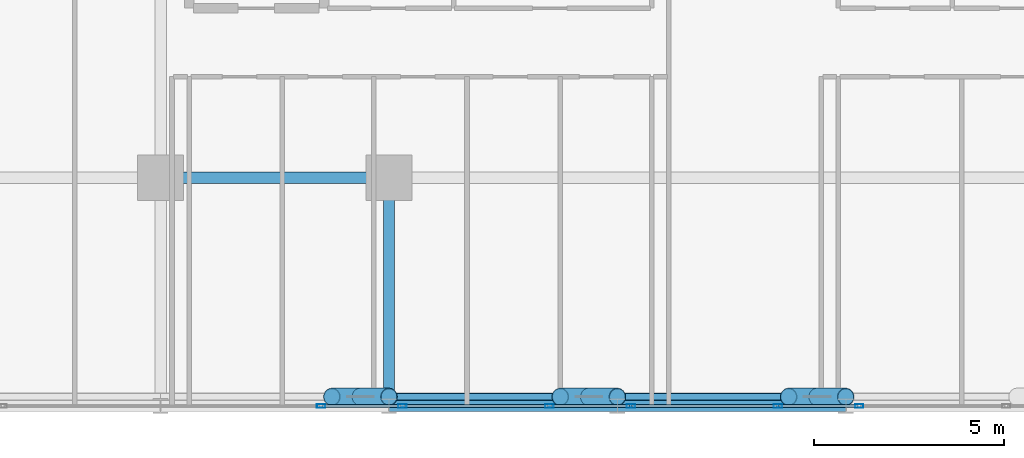
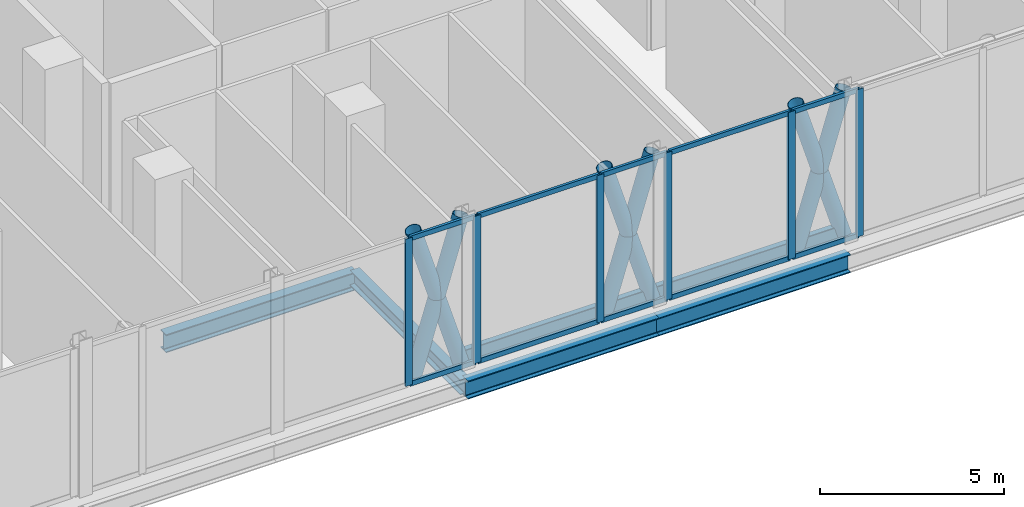
# One storey, part 8 of 36: 27 members, 4 beams, 6 elements without a shape of their own.
"""IFC4 building model written with IfcOpenShell, lengths in metres."""

from ifc_helpers import new_model, si_unit, direction, frame, origin, origin_2d, place, context, subcontext, project, spatial, hollow_rectangle, hollow_circle, i_section, extrude, material, layer, layer_set, material_profile, profile_set, type_object, element, aggregate, save


model = new_model("IFC4")

# Units and contexts
model_context = context("Model", 3, precision=1e-05, world=origin(), true_north=direction((0.0, 1.0)))
body_context = subcontext(model_context, "Body", "Model", "MODEL_VIEW")
ifc_project = project(units=[si_unit("LENGTHUNIT", "METRE"), si_unit("AREAUNIT", "SQUARE_METRE"), si_unit("VOLUMEUNIT", "CUBIC_METRE"), si_unit("PLANEANGLEUNIT", "RADIAN"), si_unit("MASSUNIT", "GRAM", prefix="KILO")], contexts=[model_context])

# Site, building, storey
site_placement = place(None, origin())
site = spatial("IfcSite", under=ifc_project, at=site_placement, CompositionType="ELEMENT")
building_placement = place(site_placement, origin())
building = spatial("IfcBuilding", under=site, at=building_placement, Name="Keshet Zoharim Tower", CompositionType="ELEMENT")
storey_placement = place(building_placement, frame((0.0, 0.0, 81.199951171875)))
storey = spatial("IfcBuildingStorey", under=building, at=storey_placement, Name="L19", CompositionType="ELEMENT", Elevation=81.199951171875)

# Beams
ifc_material_1 = material(Name="Steel S355", Category="steel")
ifc_material_profile_1 = material_profile(ifc_material_1, i_section(OverallWidth=0.300048828125, OverallDepth=0.5, WebThickness=0.014404296875, FlangeThickness=0.028076171875, FilletRadius=0.027099609375, at=origin_2d()), Name="HEB500")
ifc_profile_set_1 = profile_set([ifc_material_profile_1], Name="Steel S355")
beam_type_1 = type_object("IfcBeamType", Name="BM-WEB-HB500", PredefinedType="BEAM", material=ifc_profile_set_1)
beam_placement = place(storey_placement, frame((39.0, 0.699951171875, -0.669921875), z_axis=(0.0, 1.0, 0.0), x_axis=(-1.0, 0.0, 0.0)))
element("IfcBeam", 1, at=beam_placement, inside=storey, type_object=beam_type_1, Name="L19 Primary Girder Y-012", PredefinedType="BEAM", context=body_context, shape_type="SweptSolid", body=[
    extrude(i_section(OverallWidth=0.300048828125, OverallDepth=0.5, WebThickness=0.014404296875, FlangeThickness=0.028076171875, FilletRadius=0.027099609375, at=origin_2d()), origin(), (0.0, 0.0, 1.0), 6.0),
])
ifc_material_profile_2 = material_profile(ifc_material_1, i_section(OverallWidth=0.300048828125, OverallDepth=0.60009765625, WebThickness=0.015380859375, FlangeThickness=0.030029296875, FilletRadius=0.027099609375, at=origin_2d()), Name="HEB600")
ifc_profile_set_2 = profile_set([ifc_material_profile_2], Name="Steel S355")
beam_type_2 = type_object("IfcBeamType", Name="BM-WEB-HB600", PredefinedType="BEAM", material=ifc_profile_set_2)
for number, where, z_axis, x_axis, name in (
    (2, (39.0, 0.699951171875, -0.719970703125), (1.0, 0.0, 0.0), (0.0, 1.0, 0.0), "L19 Primary Girder X-003"),
    (3, (45.0, 0.699951171875, -0.719970703125), (1.0, 0.0, 0.0), (0.0, 1.0, 0.0), "L19 Primary Girder X-004"),
    (4, (33.0, 6.699951171875, -0.719970703125), (1.0, 0.0, 0.0), (0.0, 1.0, 0.0), "L19 Primary Girder X-008"),
):
    element("IfcBeam", number, at=place(storey_placement, frame(where, z_axis=z_axis, x_axis=x_axis)), inside=storey, type_object=beam_type_2, Name=name, PredefinedType="BEAM", context=body_context, shape_type="SweptSolid", body=[
        extrude(i_section(OverallWidth=0.300048828125, OverallDepth=0.60009765625, WebThickness=0.015380859375, FlangeThickness=0.030029296875, FilletRadius=0.027099609375, at=origin_2d()), origin(), (0.0, 0.0, 1.0), 6.0),
    ])

# Curtain wall, member
ifc_material_2 = material(Name="Aluminium 6063-T6", Category="aluminium")
ifc_layer = layer(ifc_material_2, 0.179931640625)
ifc_layer_set = layer_set([ifc_layer], Name="Aluminium 6063-T6")
curtain_wall_type = type_object("IfcCurtainWallType", Name="CW-SYS-01", PredefinedType="NOTDEFINED", material=ifc_layer_set)
curtain_wall_1_placement = place(storey_placement, origin())
curtain_wall_1 = element("IfcCurtainWall", 5, at=curtain_wall_1_placement, inside=storey, type_object=curtain_wall_type, Name="L19 Unitised Curtain Wall 26 Part 2", PredefinedType="NOTDEFINED")
ifc_material_profile_3 = material_profile(ifc_material_2, hollow_rectangle(XDim=0.090087890625, YDim=0.219970703125, WallThickness=0.0048828125, at=origin_2d()), Name="MUL-90x220")
ifc_profile_set_3 = profile_set([ifc_material_profile_3], Name="Aluminium 6063-T6")
member_type_1 = type_object("IfcMemberType", Name="CWM-M22", PredefinedType="MULLION", material=ifc_profile_set_3)
member_1_placement = place(storey_placement, frame((51.353515625, 0.699951171875, 0.0), z_axis=(0.0, 0.0, 1.0), x_axis=(0.0, -1.0, 0.0)))
member_1 = element("IfcMember", 6, at=member_1_placement, type_object=member_type_1, Name="CW-01 mullion 2", PredefinedType="MULLION", context=body_context, shape_type="SweptSolid", body=[
    extrude(hollow_rectangle(XDim=0.090087890625, YDim=0.219970703125, WallThickness=0.0048828125, at=origin_2d()), origin(), (0.0, 0.0, 1.0), 4.885009765625),
])
aggregate(curtain_wall_1, [member_1])

curtain_wall_2_placement = place(storey_placement, origin())
curtain_wall_2 = element("IfcCurtainWall", 7, at=curtain_wall_2_placement, inside=storey, type_object=curtain_wall_type, Name="L19 Unitised Curtain Wall 26 Part 3", PredefinedType="NOTDEFINED")
member_2_placement = place(storey_placement, frame((49.216552734375, 0.699951171875, 0.0), z_axis=(0.0, 0.0, 1.0), x_axis=(0.0, -1.0, 0.0)))
member_2 = element("IfcMember", 8, at=member_2_placement, type_object=member_type_1, Name="CW-01 mullion 2", PredefinedType="MULLION", context=body_context, shape_type="SweptSolid", body=[
    extrude(hollow_rectangle(XDim=0.090087890625, YDim=0.219970703125, WallThickness=0.0048828125, at=origin_2d()), origin(), (0.0, 0.0, 1.0), 4.885009765625),
])

curtain_wall_3_placement = place(storey_placement, origin())
curtain_wall_3 = element("IfcCurtainWall", 9, at=curtain_wall_3_placement, inside=storey, type_object=curtain_wall_type, Name="L19 Unitised Curtain Wall 26 Part 4", PredefinedType="NOTDEFINED")
member_3_placement = place(storey_placement, frame((45.353515625, 0.699951171875, 0.0), z_axis=(0.0, 0.0, 1.0), x_axis=(0.0, -1.0, 0.0)))
member_3 = element("IfcMember", 10, at=member_3_placement, type_object=member_type_1, Name="CW-01 mullion 2", PredefinedType="MULLION", context=body_context, shape_type="SweptSolid", body=[
    extrude(hollow_rectangle(XDim=0.090087890625, YDim=0.219970703125, WallThickness=0.0048828125, at=origin_2d()), origin(), (0.0, 0.0, 1.0), 4.885009765625),
])

curtain_wall_4_placement = place(storey_placement, origin())
curtain_wall_4 = element("IfcCurtainWall", 11, at=curtain_wall_4_placement, inside=storey, type_object=curtain_wall_type, Name="L19 Unitised Curtain Wall 26 Part 5", PredefinedType="NOTDEFINED")
member_4_placement = place(storey_placement, frame((43.216552734375, 0.699951171875, 0.0), z_axis=(0.0, 0.0, 1.0), x_axis=(0.0, -1.0, 0.0)))
member_4 = element("IfcMember", 12, at=member_4_placement, type_object=member_type_1, Name="CW-01 mullion 2", PredefinedType="MULLION", context=body_context, shape_type="SweptSolid", body=[
    extrude(hollow_rectangle(XDim=0.090087890625, YDim=0.219970703125, WallThickness=0.0048828125, at=origin_2d()), origin(), (0.0, 0.0, 1.0), 4.885009765625),
])

curtain_wall_5_placement = place(storey_placement, origin())
curtain_wall_5 = element("IfcCurtainWall", 13, at=curtain_wall_5_placement, inside=storey, type_object=curtain_wall_type, Name="L19 Unitised Curtain Wall 26 Part 6", PredefinedType="NOTDEFINED")
member_5_placement = place(storey_placement, frame((39.353515625, 0.699951171875, 0.0), z_axis=(0.0, 0.0, 1.0), x_axis=(0.0, -1.0, 0.0)))
member_5 = element("IfcMember", 14, at=member_5_placement, type_object=member_type_1, Name="CW-01 mullion 2", PredefinedType="MULLION", context=body_context, shape_type="SweptSolid", body=[
    extrude(hollow_rectangle(XDim=0.090087890625, YDim=0.219970703125, WallThickness=0.0048828125, at=origin_2d()), origin(), (0.0, 0.0, 1.0), 4.885009765625),
])

curtain_wall_6_placement = place(storey_placement, origin())
curtain_wall_6 = element("IfcCurtainWall", 15, at=curtain_wall_6_placement, inside=storey, type_object=curtain_wall_type, Name="L19 Unitised Curtain Wall 26 Part 7", PredefinedType="NOTDEFINED")
member_6_placement = place(storey_placement, frame((37.216552734375, 0.699951171875, 0.0), z_axis=(0.0, 0.0, 1.0), x_axis=(0.0, -1.0, 0.0)))
member_6 = element("IfcMember", 16, at=member_6_placement, type_object=member_type_1, Name="CW-01 mullion 2", PredefinedType="MULLION", context=body_context, shape_type="SweptSolid", body=[
    extrude(hollow_rectangle(XDim=0.090087890625, YDim=0.219970703125, WallThickness=0.0048828125, at=origin_2d()), origin(), (0.0, 0.0, 1.0), 4.885009765625),
])

# Member
ifc_material_profile_4 = material_profile(ifc_material_2, hollow_rectangle(XDim=0.0849609375, YDim=0.159912109375, WallThickness=0.00439453125, at=origin_2d()), Name="TRN-85x160")
ifc_profile_set_4 = profile_set([ifc_material_profile_4], Name="Aluminium 6063-T6")
member_type_2 = type_object("IfcMemberType", Name="CWT-T16", PredefinedType="USERDEFINED", material=ifc_profile_set_4)
member_7_placement = place(storey_placement, frame((51.318359375, 0.699951171875, 0.03515625), z_axis=(-1.0, 0.0, 0.0), x_axis=(0.0, -1.0, 0.0)))
member_7 = element("IfcMember", 17, at=member_7_placement, type_object=member_type_2, Name="CW-01 transom 1.1", ObjectType="TRANSOM", PredefinedType="USERDEFINED", context=body_context, shape_type="SweptSolid", body=[
    extrude(hollow_rectangle(XDim=0.0849609375, YDim=0.159912109375, WallThickness=0.00439453125, at=origin_2d()), origin(), (0.0, 0.0, 1.0), 2.066650390625),
])

member_8_placement = place(storey_placement, frame((51.318359375, 0.699951171875, 4.85009765625), z_axis=(-1.0, 0.0, 0.0), x_axis=(0.0, -1.0, 0.0)))
member_8 = element("IfcMember", 18, at=member_8_placement, type_object=member_type_2, Name="CW-01 transom 1.2", ObjectType="TRANSOM", PredefinedType="USERDEFINED", context=body_context, shape_type="SweptSolid", body=[
    extrude(hollow_rectangle(XDim=0.0849609375, YDim=0.159912109375, WallThickness=0.00439453125, at=origin_2d()), origin(), (0.0, 0.0, 1.0), 2.066650390625),
])

aggregate(curtain_wall_2, [member_2, member_7, member_8])

member_9_placement = place(storey_placement, frame((49.181640625, 0.699951171875, 0.03515625), z_axis=(-1.0, 0.0, 0.0), x_axis=(0.0, -1.0, 0.0)))
member_9 = element("IfcMember", 19, at=member_9_placement, type_object=member_type_2, Name="CW-01 transom 1.1", ObjectType="TRANSOM", PredefinedType="USERDEFINED", context=body_context, shape_type="SweptSolid", body=[
    extrude(hollow_rectangle(XDim=0.0849609375, YDim=0.159912109375, WallThickness=0.00439453125, at=origin_2d()), origin(), (0.0, 0.0, 1.0), 3.793212890625),
])

member_10_placement = place(storey_placement, frame((49.181640625, 0.699951171875, 4.85009765625), z_axis=(-1.0, 0.0, 0.0), x_axis=(0.0, -1.0, 0.0)))
member_10 = element("IfcMember", 20, at=member_10_placement, type_object=member_type_2, Name="CW-01 transom 1.2", ObjectType="TRANSOM", PredefinedType="USERDEFINED", context=body_context, shape_type="SweptSolid", body=[
    extrude(hollow_rectangle(XDim=0.0849609375, YDim=0.159912109375, WallThickness=0.00439453125, at=origin_2d()), origin(), (0.0, 0.0, 1.0), 3.793212890625),
])

aggregate(curtain_wall_3, [member_3, member_9, member_10])

member_11_placement = place(storey_placement, frame((45.318359375, 0.699951171875, 0.03515625), z_axis=(-1.0, 0.0, 0.0), x_axis=(0.0, -1.0, 0.0)))
member_11 = element("IfcMember", 21, at=member_11_placement, type_object=member_type_2, Name="CW-01 transom 1.1", ObjectType="TRANSOM", PredefinedType="USERDEFINED", context=body_context, shape_type="SweptSolid", body=[
    extrude(hollow_rectangle(XDim=0.0849609375, YDim=0.159912109375, WallThickness=0.00439453125, at=origin_2d()), origin(), (0.0, 0.0, 1.0), 2.066650390625),
])

member_12_placement = place(storey_placement, frame((45.318359375, 0.699951171875, 4.85009765625), z_axis=(-1.0, 0.0, 0.0), x_axis=(0.0, -1.0, 0.0)))
member_12 = element("IfcMember", 22, at=member_12_placement, type_object=member_type_2, Name="CW-01 transom 1.2", ObjectType="TRANSOM", PredefinedType="USERDEFINED", context=body_context, shape_type="SweptSolid", body=[
    extrude(hollow_rectangle(XDim=0.0849609375, YDim=0.159912109375, WallThickness=0.00439453125, at=origin_2d()), origin(), (0.0, 0.0, 1.0), 2.066650390625),
])

aggregate(curtain_wall_4, [member_4, member_11, member_12])

member_13_placement = place(storey_placement, frame((43.181640625, 0.699951171875, 0.03515625), z_axis=(-1.0, 0.0, 0.0), x_axis=(0.0, -1.0, 0.0)))
member_13 = element("IfcMember", 23, at=member_13_placement, type_object=member_type_2, Name="CW-01 transom 1.1", ObjectType="TRANSOM", PredefinedType="USERDEFINED", context=body_context, shape_type="SweptSolid", body=[
    extrude(hollow_rectangle(XDim=0.0849609375, YDim=0.159912109375, WallThickness=0.00439453125, at=origin_2d()), origin(), (0.0, 0.0, 1.0), 3.793212890625),
])

member_14_placement = place(storey_placement, frame((43.181640625, 0.699951171875, 4.85009765625), z_axis=(-1.0, 0.0, 0.0), x_axis=(0.0, -1.0, 0.0)))
member_14 = element("IfcMember", 24, at=member_14_placement, type_object=member_type_2, Name="CW-01 transom 1.2", ObjectType="TRANSOM", PredefinedType="USERDEFINED", context=body_context, shape_type="SweptSolid", body=[
    extrude(hollow_rectangle(XDim=0.0849609375, YDim=0.159912109375, WallThickness=0.00439453125, at=origin_2d()), origin(), (0.0, 0.0, 1.0), 3.793212890625),
])

aggregate(curtain_wall_5, [member_5, member_13, member_14])

member_15_placement = place(storey_placement, frame((39.318359375, 0.699951171875, 0.03515625), z_axis=(-1.0, 0.0, 0.0), x_axis=(0.0, -1.0, 0.0)))
member_15 = element("IfcMember", 25, at=member_15_placement, type_object=member_type_2, Name="CW-01 transom 1.1", ObjectType="TRANSOM", PredefinedType="USERDEFINED", context=body_context, shape_type="SweptSolid", body=[
    extrude(hollow_rectangle(XDim=0.0849609375, YDim=0.159912109375, WallThickness=0.00439453125, at=origin_2d()), origin(), (0.0, 0.0, 1.0), 2.066650390625),
])

member_16_placement = place(storey_placement, frame((39.318359375, 0.699951171875, 4.85009765625), z_axis=(-1.0, 0.0, 0.0), x_axis=(0.0, -1.0, 0.0)))
member_16 = element("IfcMember", 26, at=member_16_placement, type_object=member_type_2, Name="CW-01 transom 1.2", ObjectType="TRANSOM", PredefinedType="USERDEFINED", context=body_context, shape_type="SweptSolid", body=[
    extrude(hollow_rectangle(XDim=0.0849609375, YDim=0.159912109375, WallThickness=0.00439453125, at=origin_2d()), origin(), (0.0, 0.0, 1.0), 2.066650390625),
])

aggregate(curtain_wall_6, [member_6, member_15, member_16])

# Members
ifc_material_profile_5 = material_profile(ifc_material_1, hollow_circle(Radius=0.228515625, WallThickness=0.01611328125, at=origin_2d()), Name="CHS457x16")
ifc_profile_set_5 = profile_set([ifc_material_profile_5], Name="Steel S355")
member_type_3 = type_object("IfcMemberType", Name="MB-BELT-C457", PredefinedType="BRACE", material=ifc_profile_set_5)
member_17_placement = place(storey_placement, frame((51.0, 0.93994140625, 0.0), z_axis=(-0.293535214916, 0.0, 0.955948260945), x_axis=(0.0, -1.0, 0.0)))
element("IfcMember", 27, at=member_17_placement, inside=storey, type_object=member_type_3, Name="L19 Perimeter Belt Truss Continuous Diagonal A10", PredefinedType="BRACE", context=body_context, shape_type="SweptSolid", body=[
    extrude(hollow_circle(Radius=0.228515625, WallThickness=0.01611328125, at=origin_2d()), origin(), (0.0, 0.0, 1.0), 5.110107421875),
])
member_18_placement = place(storey_placement, frame((49.5, 0.93994140625, 0.0), z_axis=(0.293521809364, 0.0, 0.955952377176), x_axis=(0.0, 1.0, 0.0)))
element("IfcMember", 28, at=member_18_placement, inside=storey, type_object=member_type_3, Name="L19 Perimeter Belt Truss Split Diagonal B1-10", PredefinedType="BRACE", context=body_context, shape_type="SweptSolid", body=[
    extrude(hollow_circle(Radius=0.228515625, WallThickness=0.01611328125, at=origin_2d()), origin(), (0.0, 0.0, 1.0), 2.55517578125),
])
member_19_placement = place(storey_placement, frame((50.25, 0.93994140625, 2.442626953125), z_axis=(0.293548621635, 0.0, 0.955944144151), x_axis=(0.0, 1.0, 0.0)))
element("IfcMember", 29, at=member_19_placement, inside=storey, type_object=member_type_3, Name="L19 Perimeter Belt Truss Split Diagonal B2-10", PredefinedType="BRACE", context=body_context, shape_type="SweptSolid", body=[
    extrude(hollow_circle(Radius=0.228515625, WallThickness=0.01611328125, at=origin_2d()), origin(), (0.0, 0.0, 1.0), 2.554931640625),
])
member_20_placement = place(storey_placement, frame((45.0, 0.93994140625, 0.0), z_axis=(-0.293535214916, 0.0, 0.955948260945), x_axis=(0.0, -1.0, 0.0)))
element("IfcMember", 30, at=member_20_placement, inside=storey, type_object=member_type_3, Name="L19 Perimeter Belt Truss Continuous Diagonal A11", PredefinedType="BRACE", context=body_context, shape_type="SweptSolid", body=[
    extrude(hollow_circle(Radius=0.228515625, WallThickness=0.01611328125, at=origin_2d()), origin(), (0.0, 0.0, 1.0), 5.110107421875),
])
member_21_placement = place(storey_placement, frame((43.5, 0.93994140625, 0.0), z_axis=(0.293521809364, 0.0, 0.955952377176), x_axis=(0.0, 1.0, 0.0)))
element("IfcMember", 31, at=member_21_placement, inside=storey, type_object=member_type_3, Name="L19 Perimeter Belt Truss Split Diagonal B1-11", PredefinedType="BRACE", context=body_context, shape_type="SweptSolid", body=[
    extrude(hollow_circle(Radius=0.228515625, WallThickness=0.01611328125, at=origin_2d()), origin(), (0.0, 0.0, 1.0), 2.55517578125),
])
member_22_placement = place(storey_placement, frame((44.25, 0.93994140625, 2.442626953125), z_axis=(0.293548621635, 0.0, 0.955944144151), x_axis=(0.0, 1.0, 0.0)))
element("IfcMember", 32, at=member_22_placement, inside=storey, type_object=member_type_3, Name="L19 Perimeter Belt Truss Split Diagonal B2-11", PredefinedType="BRACE", context=body_context, shape_type="SweptSolid", body=[
    extrude(hollow_circle(Radius=0.228515625, WallThickness=0.01611328125, at=origin_2d()), origin(), (0.0, 0.0, 1.0), 2.554931640625),
])
member_23_placement = place(storey_placement, frame((39.0, 0.93994140625, 0.0), z_axis=(-0.293535214916, 0.0, 0.955948260945), x_axis=(0.0, -1.0, 0.0)))
element("IfcMember", 33, at=member_23_placement, inside=storey, type_object=member_type_3, Name="L19 Perimeter Belt Truss Continuous Diagonal A12", PredefinedType="BRACE", context=body_context, shape_type="SweptSolid", body=[
    extrude(hollow_circle(Radius=0.228515625, WallThickness=0.01611328125, at=origin_2d()), origin(), (0.0, 0.0, 1.0), 5.110107421875),
])
member_24_placement = place(storey_placement, frame((37.5, 0.93994140625, 0.0), z_axis=(0.293521809364, 0.0, 0.955952377176), x_axis=(0.0, 1.0, 0.0)))
element("IfcMember", 34, at=member_24_placement, inside=storey, type_object=member_type_3, Name="L19 Perimeter Belt Truss Split Diagonal B1-12", PredefinedType="BRACE", context=body_context, shape_type="SweptSolid", body=[
    extrude(hollow_circle(Radius=0.228515625, WallThickness=0.01611328125, at=origin_2d()), origin(), (0.0, 0.0, 1.0), 2.55517578125),
])
member_25_placement = place(storey_placement, frame((38.25, 0.93994140625, 2.442626953125), z_axis=(0.293548621635, 0.0, 0.955944144151), x_axis=(0.0, 1.0, 0.0)))
element("IfcMember", 35, at=member_25_placement, inside=storey, type_object=member_type_3, Name="L19 Perimeter Belt Truss Split Diagonal B2-12", PredefinedType="BRACE", context=body_context, shape_type="SweptSolid", body=[
    extrude(hollow_circle(Radius=0.228515625, WallThickness=0.01611328125, at=origin_2d()), origin(), (0.0, 0.0, 1.0), 2.554931640625),
])
ifc_material_profile_6 = material_profile(ifc_material_1, hollow_rectangle(XDim=0.199951171875, YDim=0.39990234375, WallThickness=0.01611328125, InnerFilletRadius=0.01611328125, OuterFilletRadius=0.02392578125, at=origin_2d()), Name="RHS400x200x16")
ifc_profile_set_6 = profile_set([ifc_material_profile_6], Name="Steel S355")
member_type_4 = type_object("IfcMemberType", Name="MB-CHD-R400", PredefinedType="CHORD", material=ifc_profile_set_6)
for number, where, z_axis, x_axis, name in (
    (36, (51.0, 0.93994140625, 0.199951171875), (-1.0, 0.0, 0.0), (0.0, -1.0, 0.0), "L19 Perimeter Belt Truss Chord B10"),
    (37, (45.0, 0.93994140625, 0.199951171875), (-1.0, 0.0, 0.0), (0.0, -1.0, 0.0), "L19 Perimeter Belt Truss Chord B11"),
):
    element("IfcMember", number, at=place(storey_placement, frame(where, z_axis=z_axis, x_axis=x_axis)), inside=storey, type_object=member_type_4, Name=name, PredefinedType="CHORD", context=body_context, shape_type="SweptSolid", body=[
        extrude(hollow_rectangle(XDim=0.199951171875, YDim=0.39990234375, WallThickness=0.01611328125, InnerFilletRadius=0.01611328125, OuterFilletRadius=0.02392578125, at=origin_2d()), origin(), (0.0, 0.0, 1.0), 6.0),
    ])

save(model, "model.ifc")
